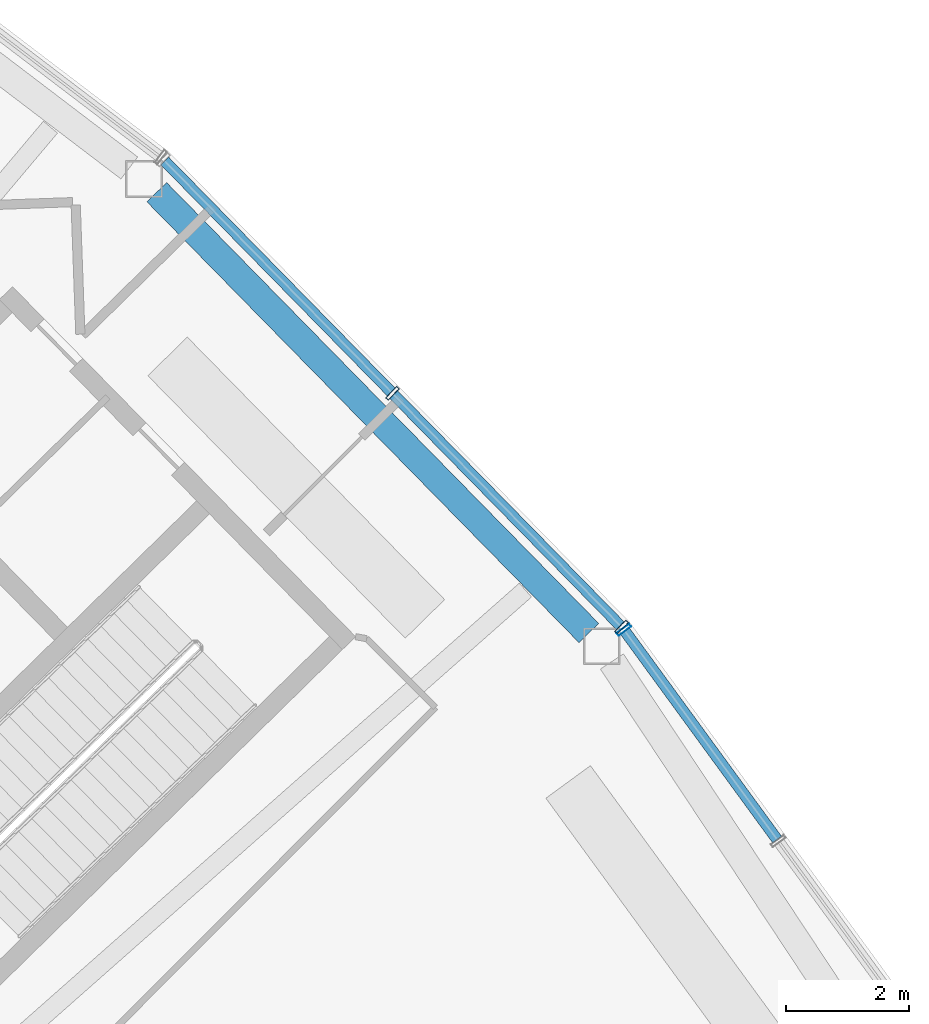
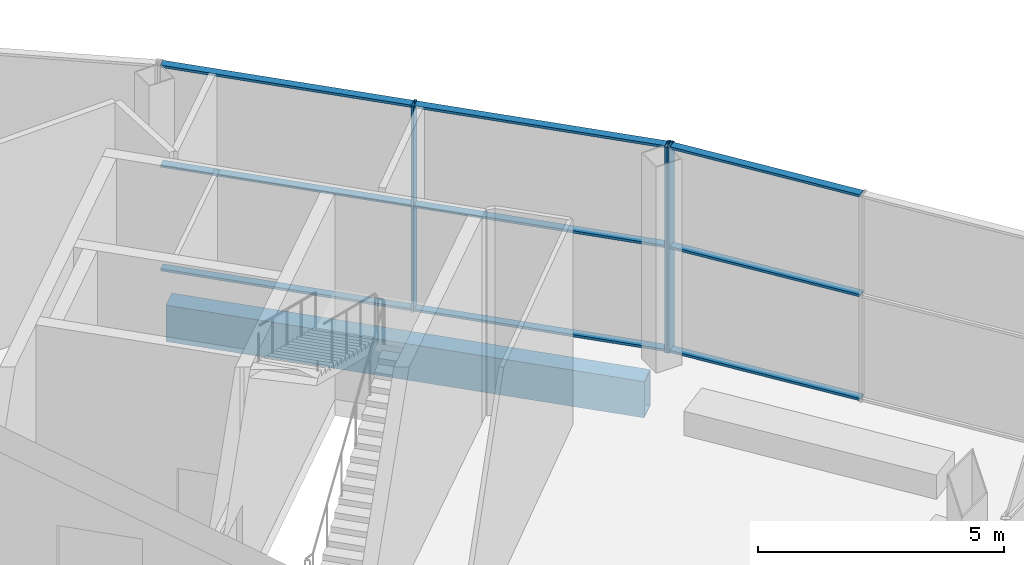
# One storey, part 27 of 43: 12 members, 1 beam, 2 elements without a shape of their own.
"""IFC4 building model written with IfcOpenShell, lengths in metres."""

from ifc_helpers import new_model, si_unit, direction, frame, origin, origin_2d, place, context, subcontext, project, spatial, hollow_rectangle, extrude, material, layer, layer_set, material_profile, profile_set, type_object, element, aggregate, save


model = new_model("IFC4")

# Units and contexts
model_context = context("Model", 3, precision=1e-05, world=origin(), true_north=direction((0.0, 1.0)))
body_context = subcontext(model_context, "Body", "Model", "MODEL_VIEW")
ifc_project = project(units=[si_unit("LENGTHUNIT", "METRE"), si_unit("AREAUNIT", "SQUARE_METRE"), si_unit("VOLUMEUNIT", "CUBIC_METRE"), si_unit("PLANEANGLEUNIT", "RADIAN"), si_unit("MASSUNIT", "GRAM", prefix="KILO")], contexts=[model_context])

# Site, building, storey
site_placement = place(None, origin())
site = spatial("IfcSite", under=ifc_project, at=site_placement, CompositionType="ELEMENT")
building_placement = place(site_placement, origin())
building = spatial("IfcBuilding", under=site, at=building_placement, Name="Tuul Gate Civic Tower", CompositionType="ELEMENT")
storey_placement = place(building_placement, frame((0.0, 0.0, 349.10009765625)))
storey = spatial("IfcBuildingStorey", under=building, at=storey_placement, Name="Observation level 1", CompositionType="ELEMENT", Elevation=349.10009765625)

# Curtain wall, member
ifc_material_1 = material(Name="Stainless steel", Category="steel")
ifc_layer = layer(ifc_material_1, 0.199951171875)
ifc_layer_set = layer_set([ifc_layer], Name="Stainless steel")
curtain_wall_type = type_object("IfcCurtainWallType", Name="Curtain wall CW4", PredefinedType="NOTDEFINED", material=ifc_layer_set)
curtain_wall_1_placement = place(storey_placement, origin())
curtain_wall_1 = element("IfcCurtainWall", 1, at=curtain_wall_1_placement, inside=storey, type_object=curtain_wall_type, Name="Curtain wall CW4", PredefinedType="NOTDEFINED")
ifc_material_2 = material(Name="Stainless steel", Category="steel")
ifc_material_profile_1 = material_profile(ifc_material_2, hollow_rectangle(XDim=0.260009765625, YDim=0.06005859375, WallThickness=0.006103515625, at=origin_2d()), Name="CW4 mullion")
ifc_profile_set_1 = profile_set([ifc_material_profile_1], Name="Stainless steel")
member_type_1 = type_object("IfcMemberType", Name="CW4 mullion", PredefinedType="MULLION", material=ifc_profile_set_1)
member_1_placement = place(storey_placement, frame((58.92578125, -12.020263671875, 0.0), z_axis=(0.0, 0.0, 1.0), x_axis=(-0.807578487079, -0.589760109881, 0.0)))
member_1 = element("IfcMember", 2, at=member_1_placement, type_object=member_type_1, Name="Mullion", PredefinedType="MULLION", context=body_context, shape_type="SweptSolid", body=[
    extrude(hollow_rectangle(XDim=0.260009765625, YDim=0.06005859375, WallThickness=0.006103515625, at=origin_2d()), origin(), (0.0, 0.0, 1.0), 5.099853515625),
])

# Curtain wall, members
curtain_wall_2_placement = place(storey_placement, origin())
curtain_wall_2 = element("IfcCurtainWall", 3, at=curtain_wall_2_placement, inside=storey, type_object=curtain_wall_type, Name="Curtain wall CW4", PredefinedType="NOTDEFINED")
member_2_placement = place(storey_placement, frame((58.886962890625, -11.974609375, 0.0), z_axis=(0.0, 0.0, 1.0), x_axis=(-0.714100212908, -0.700043488595, 0.0)))
member_2 = element("IfcMember", 4, at=member_2_placement, type_object=member_type_1, Name="Mullion", PredefinedType="MULLION", context=body_context, shape_type="SweptSolid", body=[
    extrude(hollow_rectangle(XDim=0.260009765625, YDim=0.06005859375, WallThickness=0.006103515625, at=origin_2d()), origin(), (0.0, 0.0, 1.0), 5.099853515625),
])
member_3_placement = place(storey_placement, frame((55.14794921875, -8.160400390625, 0.0), z_axis=(0.0, 0.0, 1.0), x_axis=(-0.714100212908, -0.700043488595, 0.0)))
member_3 = element("IfcMember", 5, at=member_3_placement, type_object=member_type_1, Name="Mullion", PredefinedType="MULLION", context=body_context, shape_type="SweptSolid", body=[
    extrude(hollow_rectangle(XDim=0.260009765625, YDim=0.06005859375, WallThickness=0.006103515625, at=origin_2d()), origin(), (0.0, 0.0, 1.0), 5.099853515625),
])

# Member
ifc_material_3 = material(Name="Stainless steel", Category="steel")
ifc_material_profile_2 = material_profile(ifc_material_3, hollow_rectangle(XDim=0.179931640625, YDim=0.06005859375, WallThickness=0.006103515625, at=origin_2d()), Name="CW4 transom")
ifc_profile_set_2 = profile_set([ifc_material_profile_2], Name="Stainless steel")
member_type_2 = type_object("IfcMemberType", Name="CW4 transom", PredefinedType="USERDEFINED", material=ifc_profile_set_2)
member_4_placement = place(storey_placement, frame((61.42724609375, -15.44580078125, 0.02978515625), z_axis=(-0.589749140604, 0.807586497631, 0.0), x_axis=(-0.807586497631, -0.589749140604, 0.0)))
member_4 = element("IfcMember", 6, at=member_4_placement, type_object=member_type_2, Name="Transom", ObjectType="TRANSOM", PredefinedType="USERDEFINED", context=body_context, shape_type="SweptSolid", body=[
    extrude(hollow_rectangle(XDim=0.179931640625, YDim=0.06005859375, WallThickness=0.006103515625, at=origin_2d()), origin(), (0.0, 0.0, 1.0), 4.211669921875),
])

member_5_placement = place(storey_placement, frame((61.42724609375, -15.44580078125, 2.599853515625), z_axis=(-0.589749140604, 0.807586497631, 0.0), x_axis=(-0.807586497631, -0.589749140604, 0.0)))
member_5 = element("IfcMember", 7, at=member_5_placement, type_object=member_type_2, Name="Transom", ObjectType="TRANSOM", PredefinedType="USERDEFINED", context=body_context, shape_type="SweptSolid", body=[
    extrude(hollow_rectangle(XDim=0.179931640625, YDim=0.06005859375, WallThickness=0.006103515625, at=origin_2d()), origin(), (0.0, 0.0, 1.0), 4.211669921875),
])

member_6_placement = place(storey_placement, frame((61.42724609375, -15.44580078125, 5.06982421875), z_axis=(-0.589749140604, 0.807586497631, 0.0), x_axis=(-0.807586497631, -0.589749140604, 0.0)))
member_6 = element("IfcMember", 8, at=member_6_placement, type_object=member_type_2, Name="Transom", ObjectType="TRANSOM", PredefinedType="USERDEFINED", context=body_context, shape_type="SweptSolid", body=[
    extrude(hollow_rectangle(XDim=0.179931640625, YDim=0.06005859375, WallThickness=0.006103515625, at=origin_2d()), origin(), (0.0, 0.0, 1.0), 4.211669921875),
])

aggregate(curtain_wall_1, [member_1, member_4, member_5, member_6])

member_7_placement = place(storey_placement, frame((58.865966796875, -11.953125, 0.02978515625), z_axis=(-0.700045065111, 0.714098667422, 0.0), x_axis=(-0.714098667422, -0.700045065111, 0.0)))
member_7 = element("IfcMember", 9, at=member_7_placement, type_object=member_type_2, Name="Transom", ObjectType="TRANSOM", PredefinedType="USERDEFINED", context=body_context, shape_type="SweptSolid", body=[
    extrude(hollow_rectangle(XDim=0.179931640625, YDim=0.06005859375, WallThickness=0.006103515625, at=origin_2d()), origin(), (0.0, 0.0, 1.0), 5.281005859375),
])

member_8_placement = place(storey_placement, frame((58.865966796875, -11.953125, 2.599853515625), z_axis=(-0.700045065111, 0.714098667422, 0.0), x_axis=(-0.714098667422, -0.700045065111, 0.0)))
member_8 = element("IfcMember", 10, at=member_8_placement, type_object=member_type_2, Name="Transom", ObjectType="TRANSOM", PredefinedType="USERDEFINED", context=body_context, shape_type="SweptSolid", body=[
    extrude(hollow_rectangle(XDim=0.179931640625, YDim=0.06005859375, WallThickness=0.006103515625, at=origin_2d()), origin(), (0.0, 0.0, 1.0), 5.281005859375),
])

member_9_placement = place(storey_placement, frame((58.865966796875, -11.953125, 5.06982421875), z_axis=(-0.700045065111, 0.714098667422, 0.0), x_axis=(-0.714098667422, -0.700045065111, 0.0)))
member_9 = element("IfcMember", 11, at=member_9_placement, type_object=member_type_2, Name="Transom", ObjectType="TRANSOM", PredefinedType="USERDEFINED", context=body_context, shape_type="SweptSolid", body=[
    extrude(hollow_rectangle(XDim=0.179931640625, YDim=0.06005859375, WallThickness=0.006103515625, at=origin_2d()), origin(), (0.0, 0.0, 1.0), 5.281005859375),
])

member_10_placement = place(storey_placement, frame((55.126953125, -8.13916015625, 0.02978515625), z_axis=(-0.700045065111, 0.714098667422, 0.0), x_axis=(-0.714098667422, -0.700045065111, 0.0)))
member_10 = element("IfcMember", 12, at=member_10_placement, type_object=member_type_2, Name="Transom", ObjectType="TRANSOM", PredefinedType="USERDEFINED", context=body_context, shape_type="SweptSolid", body=[
    extrude(hollow_rectangle(XDim=0.179931640625, YDim=0.06005859375, WallThickness=0.006103515625, at=origin_2d()), origin(), (0.0, 0.0, 1.0), 5.281005859375),
])

member_11_placement = place(storey_placement, frame((55.126953125, -8.13916015625, 2.599853515625), z_axis=(-0.700045065111, 0.714098667422, 0.0), x_axis=(-0.714098667422, -0.700045065111, 0.0)))
member_11 = element("IfcMember", 13, at=member_11_placement, type_object=member_type_2, Name="Transom", ObjectType="TRANSOM", PredefinedType="USERDEFINED", context=body_context, shape_type="SweptSolid", body=[
    extrude(hollow_rectangle(XDim=0.179931640625, YDim=0.06005859375, WallThickness=0.006103515625, at=origin_2d()), origin(), (0.0, 0.0, 1.0), 5.281005859375),
])

member_12_placement = place(storey_placement, frame((55.126953125, -8.13916015625, 5.06982421875), z_axis=(-0.700045065111, 0.714098667422, 0.0), x_axis=(-0.714098667422, -0.700045065111, 0.0)))
member_12 = element("IfcMember", 14, at=member_12_placement, type_object=member_type_2, Name="Transom", ObjectType="TRANSOM", PredefinedType="USERDEFINED", context=body_context, shape_type="SweptSolid", body=[
    extrude(hollow_rectangle(XDim=0.179931640625, YDim=0.06005859375, WallThickness=0.006103515625, at=origin_2d()), origin(), (0.0, 0.0, 1.0), 5.281005859375),
])

aggregate(curtain_wall_2, [member_2, member_3, member_7, member_8, member_9, member_10, member_11, member_12])

# Beam
ifc_material_4 = material(Name="Steel S355", Category="steel")
ifc_material_profile_3 = material_profile(ifc_material_4, hollow_rectangle(XDim=0.449951171875, YDim=0.89990234375, WallThickness=0.02490234375, at=origin_2d()), Name="BOX900x450x25")
ifc_profile_set_3 = profile_set([ifc_material_profile_3], Name="Steel S355")
beam_type = type_object("IfcBeamType", Name="STR-SPANDREL BEAM-BOX900x450x25", PredefinedType="BEAM", material=ifc_profile_set_3)
beam_placement = place(storey_placement, frame((58.35400390625, -12.07373046875, -0.85009765625), z_axis=(-0.699997044148, 0.714145740157, 0.0), x_axis=(-0.714145740157, -0.699997044148, 0.0)))
element("IfcBeam", 15, at=beam_placement, inside=storey, type_object=beam_type, Name="Spandrel beam", PredefinedType="BEAM", context=body_context, shape_type="SweptSolid", body=[
    extrude(hollow_rectangle(XDim=0.449951171875, YDim=0.89990234375, WallThickness=0.02490234375, at=origin_2d()), origin(), (0.0, 0.0, 1.0), 10.0771484375),
])

save(model, "model.ifc")
